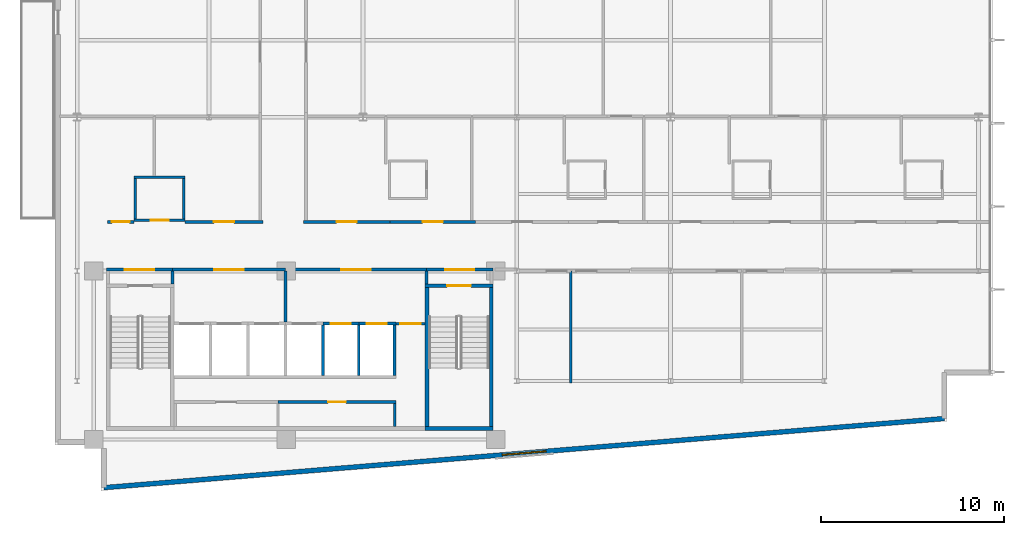
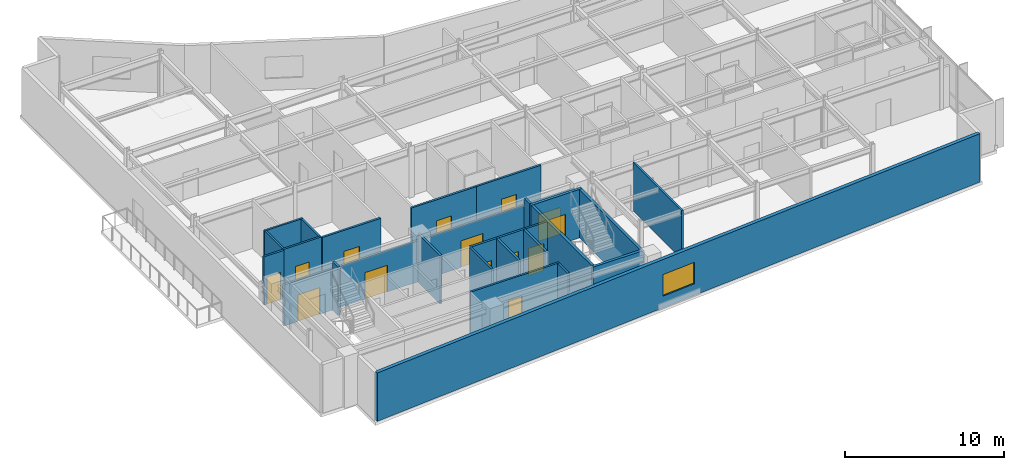
# One storey, part 10 of 16: 29 walls, 14 doors, 1 window, 15 openings.
"""IFC4 building model written with IfcOpenShell, lengths in metres."""

from ifc_helpers import new_model, si_unit, direction, frame, frame_2d, origin, place, context, subcontext, project, spatial, rectangle, extrude, material, layer, layer_set, type_object, element, fill, save


model = new_model("IFC4")

# Units and contexts
model_context = context("Model", 3, precision=1e-05, world=origin(), true_north=direction((0.0, 1.0)))
body_context = subcontext(model_context, "Body", "Model", "MODEL_VIEW")
ifc_project = project(units=[si_unit("LENGTHUNIT", "METRE"), si_unit("AREAUNIT", "SQUARE_METRE"), si_unit("VOLUMEUNIT", "CUBIC_METRE"), si_unit("PLANEANGLEUNIT", "RADIAN"), si_unit("MASSUNIT", "GRAM", prefix="KILO")], contexts=[model_context])

# Site, building, storey
site_placement = place(None, origin())
site = spatial("IfcSite", under=ifc_project, at=site_placement, CompositionType="ELEMENT")
building_placement = place(site_placement, origin())
building = spatial("IfcBuilding", under=site, at=building_placement, Name="Varnakote Quay Hospital", CompositionType="ELEMENT")
storey_placement = place(building_placement, frame((0.0, 0.0, 188.14990234375)))
storey = spatial("IfcBuildingStorey", under=building, at=storey_placement, Name="L46", CompositionType="ELEMENT", Elevation=188.14990234375)

# Wall, opening, door
ifc_material_1 = material(Name="Fire-rated acoustic gypsum stud wall", Category="gypsum")
ifc_layer_1 = layer(ifc_material_1, 0.159912109375)
ifc_layer_set_1 = layer_set([ifc_layer_1], Name="Fire-rated acoustic gypsum stud wall")
wall_type_1 = type_object("IfcWallType", Name="WL-COMP-160", PredefinedType="PARTITIONING", material=ifc_layer_set_1)
wall_1_placement = place(storey_placement, frame((2.800048828125, 12.080078125, 0.0), z_axis=(0.0, 0.0, 1.0), x_axis=(1.0, 0.0, 0.0)))
wall_1 = element("IfcWall", 1, at=wall_1_placement, inside=storey, type_object=wall_type_1, Name="L46 West Stair Vestibule Smoke Wall", PredefinedType="PARTITIONING", context=body_context, shape_type="SweptSolid", body=[
    extrude(rectangle(XDim=3.599853515625, YDim=0.159912109375, at=frame_2d((1.7998046875, 0.0))), origin(), (0.0, 0.0, 1.0), 3.152099609375),
])
opening_1_placement = place(wall_1_placement, frame((1.0, 0.0, 0.0)))
opening_1 = element("IfcOpeningElement", 2, at=opening_1_placement, cuts=wall_1, Name="Opening D-ST1L-L46", PredefinedType="OPENING", context=body_context, shape_type="SweptSolid", body=[
    extrude(rectangle(XDim=1.60009765625, YDim=2.050048828125, at=frame_2d((0.800048828125, 1.02490234375))), frame((0.0, 0.08984375, 0.0), z_axis=(0.0, -1.0, 0.0), x_axis=(1.0, 0.0, 0.0)), (0.0, 0.0, 1.0), 0.179931640625),
])
ifc_material_2 = material(Name="Fire-rated double smoke lobby door")
door_type_1 = type_object("IfcDoorType", Name="DR-LOBBY-FD60S-1600x2150", OperationType="NOTDEFINED", PredefinedType="DOOR", material=ifc_material_2)
door_1_placement = place(opening_1_placement, origin())
door_1 = element("IfcDoor", 3, at=door_1_placement, inside=storey, type_object=door_type_1, Name="L46 West Stair Vestibule Smoke Door", OperationType="DOUBLE_DOOR_SINGLE_SWING", OverallHeight=2.050048828125, OverallWidth=1.60009765625, PredefinedType="DOOR", context=body_context, shape_type="SweptSolid", body=[
    extrude(rectangle(XDim=1.60009765625, YDim=2.050048828125, at=frame_2d((0.800048828125, 1.02490234375))), frame((0.0, 0.02490234375, 0.0), z_axis=(0.0, -1.0, 0.0), x_axis=(1.0, 0.0, 0.0)), (0.0, 0.0, 1.0), 0.050048828125),
])
fill(opening_1, door_1)

# Wall
wall_2_placement = place(storey_placement, frame((6.39990234375, 11.300048828125, 0.0), z_axis=(0.0, 0.0, 1.0), x_axis=(0.0, 1.0, 0.0)))
element("IfcWall", 4, at=wall_2_placement, inside=storey, type_object=wall_type_1, Name="L46 Firefighting Lobby West Wall", PredefinedType="PARTITIONING", context=body_context, shape_type="SweptSolid", body=[
    extrude(rectangle(XDim=0.699951171875, YDim=0.159912109375, at=frame_2d((0.35009765625, 0.0))), origin(), (0.0, 0.0, 1.0), 3.710205078125),
])

# Wall, opening, door
wall_3_placement = place(storey_placement, frame((6.39990234375, 12.080078125, 0.0), z_axis=(0.0, 0.0, 1.0), x_axis=(1.0, 0.0, 0.0)))
wall_3 = element("IfcWall", 5, at=wall_3_placement, inside=storey, type_object=wall_type_1, Name="L46 Firefighting Lift Lobby Compartment Wall", PredefinedType="PARTITIONING", context=body_context, shape_type="SweptSolid", body=[
    extrude(rectangle(XDim=6.18017578125, YDim=0.159912109375, at=frame_2d((3.090087890625, 0.0))), origin(), (0.0, 0.0, 1.0), 3.152099609375),
])
opening_2_placement = place(wall_3_placement, frame((2.2900390625, 0.0, 0.0)))
opening_2 = element("IfcOpeningElement", 6, at=opening_2_placement, cuts=wall_3, Name="Opening D-FFL-L46", PredefinedType="OPENING", context=body_context, shape_type="SweptSolid", body=[
    extrude(rectangle(XDim=1.60009765625, YDim=2.050048828125, at=frame_2d((0.800048828125, 1.02490234375))), frame((0.0, 0.08984375, 0.0), z_axis=(0.0, -1.0, 0.0), x_axis=(1.0, 0.0, 0.0)), (0.0, 0.0, 1.0), 0.179931640625),
])
door_2_placement = place(opening_2_placement, origin())
door_2 = element("IfcDoor", 7, at=door_2_placement, inside=storey, type_object=door_type_1, Name="L46 Firefighting Smoke Vestibule Door", OperationType="DOUBLE_DOOR_SINGLE_SWING", OverallHeight=2.050048828125, OverallWidth=1.60009765625, PredefinedType="DOOR", context=body_context, shape_type="SweptSolid", body=[
    extrude(rectangle(XDim=1.60009765625, YDim=2.050048828125, at=frame_2d((0.800048828125, 1.02490234375))), frame((0.0, 0.02490234375, 0.0), z_axis=(0.0, -1.0, 0.0), x_axis=(1.0, 0.0, 0.0)), (0.0, 0.0, 1.0), 0.050048828125),
])
fill(opening_2, door_2)

# Wall
wall_4_placement = place(storey_placement, frame((12.580078125, 9.2099609375, 0.0), z_axis=(0.0, 0.0, 1.0), x_axis=(0.0, 1.0, 0.0)))
element("IfcWall", 8, at=wall_4_placement, inside=storey, type_object=wall_type_1, Name="L46 Firefighting to Service Lobby Wall", PredefinedType="PARTITIONING", context=body_context, shape_type="SweptSolid", body=[
    extrude(rectangle(XDim=2.7900390625, YDim=0.159912109375, at=frame_2d((1.39501953125, 0.0))), origin(), (0.0, 0.0, 1.0), 3.710205078125),
])

# Wall, opening, door
wall_5_placement = place(storey_placement, frame((12.580078125, 12.080078125, 0.0), z_axis=(0.0, 0.0, 1.0), x_axis=(1.0, 0.0, 0.0)))
wall_5 = element("IfcWall", 9, at=wall_5_placement, inside=storey, type_object=wall_type_1, Name="L46 Clinical Bed Lift Lobby Wall", PredefinedType="PARTITIONING", context=body_context, shape_type="SweptSolid", body=[
    extrude(rectangle(XDim=7.699951171875, YDim=0.159912109375, at=frame_2d((3.85009765625, 0.0))), origin(), (0.0, 0.0, 1.0), 3.152099609375),
])
opening_3_placement = place(wall_5_placement, frame((3.050048828125, 0.0, 0.0)))
opening_3 = element("IfcOpeningElement", 10, at=opening_3_placement, cuts=wall_5, Name="Opening D-SVL-L46", PredefinedType="OPENING", context=body_context, shape_type="SweptSolid", body=[
    extrude(rectangle(XDim=1.60009765625, YDim=2.050048828125, at=frame_2d((0.800048828125, 1.02490234375))), frame((0.0, 0.08984375, 0.0), z_axis=(0.0, -1.0, 0.0), x_axis=(1.0, 0.0, 0.0)), (0.0, 0.0, 1.0), 0.179931640625),
])
door_3_placement = place(opening_3_placement, origin())
door_3 = element("IfcDoor", 11, at=door_3_placement, inside=storey, type_object=door_type_1, Name="L46 Clinical Core Smoke Vestibule Door", OperationType="DOUBLE_DOOR_SINGLE_SWING", OverallHeight=2.050048828125, OverallWidth=1.60009765625, PredefinedType="DOOR", context=body_context, shape_type="SweptSolid", body=[
    extrude(rectangle(XDim=1.60009765625, YDim=2.050048828125, at=frame_2d((0.800048828125, 1.02490234375))), frame((0.0, 0.02490234375, 0.0), z_axis=(0.0, -1.0, 0.0), x_axis=(1.0, 0.0, 0.0)), (0.0, 0.0, 1.0), 0.050048828125),
])
fill(opening_3, door_3)

# Wall
wall_6_placement = place(storey_placement, frame((20.280029296875, 11.300048828125, 0.0), z_axis=(0.0, 0.0, 1.0), x_axis=(0.0, 1.0, 0.0)))
element("IfcWall", 12, at=wall_6_placement, inside=storey, type_object=wall_type_1, Name="L46 East Stair Vestibule Divider Wall", PredefinedType="PARTITIONING", context=body_context, shape_type="SweptSolid", body=[
    extrude(rectangle(XDim=0.699951171875, YDim=0.159912109375, at=frame_2d((0.35009765625, 0.0))), origin(), (0.0, 0.0, 1.0), 3.710205078125),
])

# Wall, opening, door
wall_7_placement = place(storey_placement, frame((20.280029296875, 12.080078125, 0.0), z_axis=(0.0, 0.0, 1.0), x_axis=(1.0, 0.0, 0.0)))
wall_7 = element("IfcWall", 13, at=wall_7_placement, inside=storey, type_object=wall_type_1, Name="L46 East Stair Vestibule Smoke Wall", PredefinedType="PARTITIONING", context=body_context, shape_type="SweptSolid", body=[
    extrude(rectangle(XDim=3.619873046875, YDim=0.159912109375, at=frame_2d((1.81005859375, 0.0))), origin(), (0.0, 0.0, 1.0), 3.152099609375),
])
opening_4_placement = place(wall_7_placement, frame((1.010009765625, 0.0, 0.0)))
opening_4 = element("IfcOpeningElement", 14, at=opening_4_placement, cuts=wall_7, Name="Opening D-ST2L-L46", PredefinedType="OPENING", context=body_context, shape_type="SweptSolid", body=[
    extrude(rectangle(XDim=1.60009765625, YDim=2.050048828125, at=frame_2d((0.800048828125, 1.02490234375))), frame((0.0, 0.08984375, 0.0), z_axis=(0.0, -1.0, 0.0), x_axis=(1.0, 0.0, 0.0)), (0.0, 0.0, 1.0), 0.179931640625),
])
door_4_placement = place(opening_4_placement, origin())
door_4 = element("IfcDoor", 15, at=door_4_placement, inside=storey, type_object=door_type_1, Name="L46 East Stair Vestibule Smoke Door", OperationType="DOUBLE_DOOR_SINGLE_SWING", OverallHeight=2.050048828125, OverallWidth=1.60009765625, PredefinedType="DOOR", context=body_context, shape_type="SweptSolid", body=[
    extrude(rectangle(XDim=1.60009765625, YDim=2.050048828125, at=frame_2d((0.800048828125, 1.02490234375))), frame((0.0, 0.02490234375, 0.0), z_axis=(0.0, -1.0, 0.0), x_axis=(1.0, 0.0, 0.0)), (0.0, 0.0, 1.0), 0.050048828125),
])
fill(opening_4, door_4)

# Wall, opening, window
ifc_material_3 = material(Name="Precast concrete N50 (f'c 50 MPa)", Category="concrete")
ifc_layer_2 = layer(ifc_material_3, 0.260009765625)
ifc_layer_set_2 = layer_set([ifc_layer_2], Name="Precast concrete N50 (f'c 50 MPa)")
wall_type_2 = type_object("IfcWallType", Name="WL-EXT-BRICK-260", PredefinedType="STANDARD", material=ifc_layer_set_2)
wall_8_placement = place(storey_placement, frame((2.659912109375, 0.173583984375, 0.0), z_axis=(0.0, 0.0, 1.0), x_axis=(0.996634028439, 0.081979347142, 0.0)))
wall_8 = element("IfcWall", 16, at=wall_8_placement, inside=storey, type_object=wall_type_2, Name="L46 Brick-Faced Precast Exterior Wall", PredefinedType="STANDARD", context=body_context, shape_type="SweptSolid", body=[
    extrude(rectangle(XDim=46.03515625, YDim=0.260009765625, at=frame_2d((23.017578125, 0.0))), origin(), (0.0, 0.0, 1.0), 3.710205078125),
])
opening_5_placement = place(wall_8_placement, frame((21.8173828125, 0.0, 0.89990234375)))
opening_5 = element("IfcOpeningElement", 17, at=opening_5_placement, cuts=wall_8, Name="Opening WN-0190", PredefinedType="OPENING", context=body_context, shape_type="SweptSolid", body=[
    extrude(rectangle(XDim=2.39990234375, YDim=1.64990234375, at=frame_2d((1.199951171875, 0.824951171875))), frame((0.0, 0.139892578125, 0.0), z_axis=(0.0, -1.0, 0.0), x_axis=(1.0, 0.0, 0.0)), (0.0, 0.0, 1.0), 0.280029296875),
])
ifc_material_4 = material(Name="Double-glazed low-E solar glass", Category="glass")
window_type = type_object("IfcWindowType", Name="WIN-CLIN-2400x1650", PartitioningType="SINGLE_PANEL", PredefinedType="WINDOW", material=ifc_material_4)
window_placement = place(opening_5_placement, origin())
window = element("IfcWindow", 18, at=window_placement, inside=storey, type_object=window_type, Name="L46 Solar-Control Clinical Window", OverallHeight=1.64990234375, OverallWidth=2.39990234375, PartitioningType="SINGLE_PANEL", PredefinedType="WINDOW", context=body_context, shape_type="SweptSolid", body=[
    extrude(rectangle(XDim=2.39990234375, YDim=1.64990234375, at=frame_2d((1.199951171875, 0.824951171875))), frame((0.0, 0.030029296875, 0.0), z_axis=(0.0, -1.0, 0.0), x_axis=(1.0, 0.0, 0.0)), (0.0, 0.0, 1.0), 0.06005859375),
])
fill(opening_5, window)

# Walls
ifc_material_5 = material(Name="Concrete N50 (f'c 50 MPa)", Category="concrete")
ifc_layer_3 = layer(ifc_material_5, 0.14990234375)
ifc_layer_set_3 = layer_set([ifc_layer_3], Name="Concrete N50 (f'c 50 MPa)")
wall_type_3 = type_object("IfcWallType", Name="WL-SHAFT-N50-150", PredefinedType="SHEAR", material=ifc_layer_set_3)
for number, where, z_axis, x_axis, name in (
    (19, (14.625, 6.300048828125, 0.0), (0.0, 0.0, 1.0), (0.0, 1.0, 0.0), "L46 LF-SV2 Hoistway Divider Wall"),
    (20, (16.574951171875, 6.300048828125, 0.0), (0.0, 0.0, 1.0), (0.0, 1.0, 0.0), "L46 LF-PH1 Hoistway Divider Wall"),
):
    element("IfcWall", number, at=place(storey_placement, frame(where, z_axis=z_axis, x_axis=x_axis)), inside=storey, type_object=wall_type_3, Name=name, PredefinedType="SHEAR", context=body_context, shape_type="SweptSolid", body=[
        extrude(rectangle(XDim=2.75, YDim=0.14990234375, at=frame_2d((1.375, 0.0))), origin(), (0.0, 0.0, 1.0), 3.710205078125),
    ])
ifc_material_6 = material(Name="Concrete N50 (f'c 50 MPa)", Category="concrete")
ifc_layer_4 = layer(ifc_material_6, 0.159912109375)
ifc_layer_set_4 = layer_set([ifc_layer_4], Name="Concrete N50 (f'c 50 MPa)")
wall_type_4 = type_object("IfcWallType", Name="WL-SHAFT-N50-160", PredefinedType="SHEAR", material=ifc_layer_set_4)
wall_9_placement = place(storey_placement, frame((18.530029296875, 6.300048828125, 0.0), z_axis=(0.0, 0.0, 1.0), x_axis=(0.0, 1.0, 0.0)))
element("IfcWall", 21, at=wall_9_placement, inside=storey, type_object=wall_type_4, Name="L46 REAR Lift Bank East Shear Wall", PredefinedType="SHEAR", context=body_context, shape_type="SweptSolid", body=[
    extrude(rectangle(XDim=2.75, YDim=0.159912109375, at=frame_2d((1.375, 0.0))), origin(), (0.0, 0.0, 1.0), 3.710205078125),
])

# Wall, opening, door
wall_10_placement = place(storey_placement, frame((14.625, 9.1298828125, 0.0), z_axis=(0.0, 0.0, 1.0), x_axis=(1.0, 0.0, 0.0)))
wall_10 = element("IfcWall", 22, at=wall_10_placement, inside=storey, type_object=wall_type_4, Name="L46 LF-PH1 Hoistway Front Wall", PredefinedType="SHEAR", context=body_context, shape_type="SweptSolid", body=[
    extrude(rectangle(XDim=1.949951171875, YDim=0.159912109375, at=frame_2d((0.97509765625, 0.0))), origin(), (0.0, 0.0, 1.0), 3.710205078125),
])
opening_6_placement = place(wall_10_placement, frame((0.425048828125, 0.0, 0.0)))
opening_6 = element("IfcOpeningElement", 23, at=opening_6_placement, cuts=wall_10, Name="Opening LD-PH1-L46", PredefinedType="OPENING", context=body_context, shape_type="SweptSolid", body=[
    extrude(rectangle(XDim=1.10009765625, YDim=2.14990234375, at=frame_2d((0.550048828125, 1.074951171875))), frame((0.0, 0.08984375, 0.0), z_axis=(0.0, -1.0, 0.0), x_axis=(1.0, 0.0, 0.0)), (0.0, 0.0, 1.0), 0.179931640625),
])
ifc_material_7 = material(Name="Brushed bronze lift landing sliding door")
door_type_2 = type_object("IfcDoorType", Name="DR-LIFT-LD-1100x2150", OperationType="NOTDEFINED", PredefinedType="DOOR", material=ifc_material_7)
door_5_placement = place(opening_6_placement, origin())
door_5 = element("IfcDoor", 24, at=door_5_placement, inside=storey, type_object=door_type_2, Name="L46 LF-PH1 Lift Landing Sliding Door", OperationType="SLIDING_TO_LEFT", OverallHeight=2.14990234375, OverallWidth=1.10009765625, PredefinedType="DOOR", context=body_context, shape_type="SweptSolid", body=[
    extrude(rectangle(XDim=1.10009765625, YDim=2.14990234375, at=frame_2d((0.550048828125, 1.074951171875))), frame((0.0, 0.02490234375, 0.0), z_axis=(0.0, -1.0, 0.0), x_axis=(1.0, 0.0, 0.0)), (0.0, 0.0, 1.0), 0.050048828125),
])
fill(opening_6, door_5)

wall_11_placement = place(storey_placement, frame((16.574951171875, 9.1298828125, 0.0), z_axis=(0.0, 0.0, 1.0), x_axis=(1.0, 0.0, 0.0)))
wall_11 = element("IfcWall", 25, at=wall_11_placement, inside=storey, type_object=wall_type_4, Name="L46 LF-PH2 Hoistway Front Wall", PredefinedType="SHEAR", context=body_context, shape_type="SweptSolid", body=[
    extrude(rectangle(XDim=2.03515625, YDim=0.159912109375, at=frame_2d((1.017578125, 0.0))), origin(), (0.0, 0.0, 1.0), 3.710205078125),
])
opening_7_placement = place(wall_11_placement, frame((0.425048828125, 0.0, 0.0)))
opening_7 = element("IfcOpeningElement", 26, at=opening_7_placement, cuts=wall_11, Name="Opening LD-PH2-L46", PredefinedType="OPENING", context=body_context, shape_type="SweptSolid", body=[
    extrude(rectangle(XDim=1.10009765625, YDim=2.14990234375, at=frame_2d((0.550048828125, 1.074951171875))), frame((0.0, 0.08984375, 0.0), z_axis=(0.0, -1.0, 0.0), x_axis=(1.0, 0.0, 0.0)), (0.0, 0.0, 1.0), 0.179931640625),
])
door_6_placement = place(opening_7_placement, origin())
door_6 = element("IfcDoor", 27, at=door_6_placement, inside=storey, type_object=door_type_2, Name="L46 LF-PH2 Lift Landing Sliding Door", OperationType="SLIDING_TO_LEFT", OverallHeight=2.14990234375, OverallWidth=1.10009765625, PredefinedType="DOOR", context=body_context, shape_type="SweptSolid", body=[
    extrude(rectangle(XDim=1.10009765625, YDim=2.14990234375, at=frame_2d((0.550048828125, 1.074951171875))), frame((0.0, 0.02490234375, 0.0), z_axis=(0.0, -1.0, 0.0), x_axis=(1.0, 0.0, 0.0)), (0.0, 0.0, 1.0), 0.050048828125),
])
fill(opening_7, door_6)

# Walls
ifc_material_8 = material(Name="Concrete N50 (f'c 50 MPa)", Category="concrete")
ifc_layer_5 = layer(ifc_material_8, 0.199951171875)
ifc_layer_set_5 = layer_set([ifc_layer_5], Name="Concrete N50 (f'c 50 MPa)")
wall_type_5 = type_object("IfcWallType", Name="WL-SHAFT-N50-200", PredefinedType="SHEAR", material=ifc_layer_set_5)
wall_12_placement = place(storey_placement, frame((20.199951171875, 3.39990234375, 0.0), z_axis=(0.0, 0.0, 1.0), x_axis=(1.0, 0.0, 0.0)))
element("IfcWall", 28, at=wall_12_placement, inside=storey, type_object=wall_type_5, Name="L46 Stair ST2 South Shaft Wall", PredefinedType="SHEAR", context=body_context, shape_type="SweptSolid", body=[
    extrude(rectangle(XDim=3.699951171875, YDim=0.199951171875, at=frame_2d((1.85009765625, 0.0))), origin(), (0.0, 0.0, 1.0), 3.710205078125),
])
for number, where, z_axis, x_axis, name in (
    (29, (20.300048828125, 3.5, 0.0), (0.0, 0.0, 1.0), (0.0, 1.0, 0.0), "L46 Stair ST2 West Shaft Wall"),
    (30, (23.800048828125, 3.5, 0.0), (0.0, 0.0, 1.0), (0.0, 1.0, 0.0), "L46 Stair ST2 East Shaft Wall"),
):
    element("IfcWall", number, at=place(storey_placement, frame(where, z_axis=z_axis, x_axis=x_axis)), inside=storey, type_object=wall_type_5, Name=name, PredefinedType="SHEAR", context=body_context, shape_type="SweptSolid", body=[
        extrude(rectangle(XDim=7.60009765625, YDim=0.199951171875, at=frame_2d((3.800048828125, 0.0))), origin(), (0.0, 0.0, 1.0), 3.710205078125),
    ])

# Wall, opening, door
wall_13_placement = place(storey_placement, frame((20.199951171875, 11.199951171875, 0.0), z_axis=(0.0, 0.0, 1.0), x_axis=(1.0, 0.0, 0.0)))
wall_13 = element("IfcWall", 31, at=wall_13_placement, inside=storey, type_object=wall_type_5, Name="L46 Stair ST2 Exit Wall", PredefinedType="SHEAR", context=body_context, shape_type="SweptSolid", body=[
    extrude(rectangle(XDim=3.699951171875, YDim=0.199951171875, at=frame_2d((1.85009765625, 0.0))), origin(), (0.0, 0.0, 1.0), 3.710205078125),
])
opening_8_placement = place(wall_13_placement, frame((1.199951171875, 0.0, 0.0)))
opening_8 = element("IfcOpeningElement", 32, at=opening_8_placement, cuts=wall_13, Name="Opening D-ST2-L46", PredefinedType="OPENING", context=body_context, shape_type="SweptSolid", body=[
    extrude(rectangle(XDim=1.300048828125, YDim=2.14990234375, at=frame_2d((0.64990234375, 1.074951171875))), frame((0.0, 0.10986328125, 0.0), z_axis=(0.0, -1.0, 0.0), x_axis=(1.0, 0.0, 0.0)), (0.0, 0.0, 1.0), 0.219970703125),
])
ifc_material_9 = material(Name="Fire-rated ceramic-glazed timber exit door", Category="wood")
door_type_3 = type_object("IfcDoorType", Name="DR-STAIR-FD60S-1300x2150", OperationType="NOTDEFINED", PredefinedType="DOOR", material=ifc_material_9)
door_7_placement = place(opening_8_placement, origin())
door_7 = element("IfcDoor", 33, at=door_7_placement, inside=storey, type_object=door_type_3, Name="L46 Stair ST2 Fire Exit Door", OperationType="SINGLE_SWING_RIGHT", OverallHeight=2.14990234375, OverallWidth=1.300048828125, PredefinedType="DOOR", context=body_context, shape_type="SweptSolid", body=[
    extrude(rectangle(XDim=1.300048828125, YDim=2.14990234375, at=frame_2d((0.64990234375, 1.074951171875))), frame((0.0, 0.02490234375, 0.0), z_axis=(0.0, -1.0, 0.0), x_axis=(1.0, 0.0, 0.0)), (0.0, 0.0, 1.0), 0.050048828125),
])
fill(opening_8, door_7)

# Walls
ifc_material_10 = material(Name="Smoke-proof clinical partition", Category="gypsum")
ifc_layer_6 = layer(ifc_material_10, 0.1201171875)
ifc_layer_set_6 = layer_set([ifc_layer_6], Name="Smoke-proof clinical partition")
wall_type_6 = type_object("IfcWallType", Name="WL-SMOKE-120", PredefinedType="PARTITIONING", material=ifc_layer_set_6)
wall_14_placement = place(storey_placement, frame((18.5400390625, 3.52001953125, 0.0), z_axis=(0.0, 0.0, 1.0), x_axis=(0.0, 1.0, 0.0)))
element("IfcWall", 34, at=wall_14_placement, inside=storey, type_object=wall_type_6, Name="L46 Core South Service East Wall", PredefinedType="PARTITIONING", context=body_context, shape_type="SweptSolid", body=[
    extrude(rectangle(XDim=1.260009765625, YDim=0.1201171875, at=frame_2d((0.6298828125, 0.0))), origin(), (0.0, 0.0, 1.0), 3.710205078125),
])
ifc_material_11 = material(Name="Smoke-proof clinical partition", Category="gypsum")
ifc_layer_7 = layer(ifc_material_11, 0.135009765625)
ifc_layer_set_7 = layer_set([ifc_layer_7], Name="Smoke-proof clinical partition")
wall_type_7 = type_object("IfcWallType", Name="WL-SMOKE-135", PredefinedType="PARTITIONING", material=ifc_layer_set_7)
wall_15_placement = place(storey_placement, frame((28.159912109375, 5.89990234375, 0.0), z_axis=(0.0, 0.0, 1.0), x_axis=(0.0, 1.0, 0.0)))
element("IfcWall", 35, at=wall_15_placement, inside=storey, type_object=wall_type_7, Name="L46 Clinical Interior Partition", PredefinedType="PARTITIONING", context=body_context, shape_type="SweptSolid", body=[
    extrude(rectangle(XDim=6.10009765625, YDim=0.135009765625, at=frame_2d((3.050048828125, 0.0))), origin(), (0.0, 0.0, 1.0), 3.710205078125),
])

# Wall, opening, door
ifc_material_12 = material(Name="Fire-rated clinical gypsum partition", Category="gypsum")
ifc_layer_8 = layer(ifc_material_12, 0.139892578125)
ifc_layer_set_8 = layer_set([ifc_layer_8], Name="Fire-rated clinical gypsum partition")
wall_type_8 = type_object("IfcWallType", Name="WL-WARD-140", PredefinedType="PARTITIONING", material=ifc_layer_set_8)
wall_16_placement = place(storey_placement, frame((12.169921875, 4.85009765625, 0.0), z_axis=(0.0, 0.0, 1.0), x_axis=(1.0, 0.0, 0.0)))
wall_16 = element("IfcWall", 36, at=wall_16_placement, inside=storey, type_object=wall_type_8, Name="L46 Core Staff Sanitary WC North Wall", PredefinedType="PARTITIONING", context=body_context, shape_type="SweptSolid", body=[
    extrude(rectangle(XDim=6.43017578125, YDim=0.139892578125, at=frame_2d((3.215087890625, 0.0))), origin(), (0.0, 0.0, 1.0), 3.710205078125),
])
opening_9_placement = place(wall_16_placement, frame((2.72509765625, 0.0, 0.0)))
opening_9 = element("IfcOpeningElement", 37, at=opening_9_placement, cuts=wall_16, Name="Opening D-L46-CR02", PredefinedType="OPENING", context=body_context, shape_type="SweptSolid", body=[
    extrude(rectangle(XDim=0.97998046875, YDim=2.10009765625, at=frame_2d((0.489990234375, 1.050048828125))), frame((0.0, 0.079833984375, 0.0), z_axis=(0.0, -1.0, 0.0), x_axis=(1.0, 0.0, 0.0)), (0.0, 0.0, 1.0), 0.159912109375),
])
ifc_material_13 = material(Name="Accessible sanitary compartment door")
door_type_4 = type_object("IfcDoorType", Name="DR-WC-980x2100", OperationType="NOTDEFINED", PredefinedType="DOOR", material=ifc_material_13)
door_8_placement = place(opening_9_placement, origin())
door_8 = element("IfcDoor", 38, at=door_8_placement, inside=storey, type_object=door_type_4, Name="L46 Core Staff Sanitary WC Door", OperationType="SINGLE_SWING_RIGHT", OverallHeight=2.10009765625, OverallWidth=0.97998046875, PredefinedType="DOOR", context=body_context, shape_type="SweptSolid", body=[
    extrude(rectangle(XDim=0.97998046875, YDim=2.10009765625, at=frame_2d((0.489990234375, 1.050048828125))), frame((0.0, 0.02490234375, 0.0), z_axis=(0.0, -1.0, 0.0), x_axis=(1.0, 0.0, 0.0)), (0.0, 0.0, 1.0), 0.050048828125),
])
fill(opening_9, door_8)

wall_17_placement = place(storey_placement, frame((18.610107421875, 9.1298828125, 0.0), z_axis=(0.0, 0.0, 1.0), x_axis=(1.0, 0.0, 0.0)))
wall_17 = element("IfcWall", 39, at=wall_17_placement, inside=storey, type_object=wall_type_8, Name="L46 Core Service Corridor North Door Wall", PredefinedType="PARTITIONING", context=body_context, shape_type="SweptSolid", body=[
    extrude(rectangle(XDim=1.58984375, YDim=0.139892578125, at=frame_2d((0.794921875, 0.0))), origin(), (0.0, 0.0, 1.0), 3.710205078125),
])
opening_10_placement = place(wall_17_placement, frame((0.239990234375, 0.0, 0.0)))
opening_10 = element("IfcOpeningElement", 40, at=opening_10_placement, cuts=wall_17, Name="Opening D-CSRV-L46", PredefinedType="OPENING", context=body_context, shape_type="SweptSolid", body=[
    extrude(rectangle(XDim=1.10009765625, YDim=2.10009765625, at=frame_2d((0.550048828125, 1.050048828125))), frame((0.0, 0.079833984375, 0.0), z_axis=(0.0, -1.0, 0.0), x_axis=(1.0, 0.0, 0.0)), (0.0, 0.0, 1.0), 0.159912109375),
])
ifc_material_14 = material(Name="Acoustic timber clinical consult door", Category="wood")
door_type_5 = type_object("IfcDoorType", Name="DR-CLIN-FD30S-1100x2100", OperationType="NOTDEFINED", PredefinedType="DOOR", material=ifc_material_14)
door_9_placement = place(opening_10_placement, origin())
door_9 = element("IfcDoor", 41, at=door_9_placement, inside=storey, type_object=door_type_5, Name="L46 Core Service Corridor Door", OperationType="SINGLE_SWING_LEFT", OverallHeight=2.10009765625, OverallWidth=1.10009765625, PredefinedType="DOOR", context=body_context, shape_type="SweptSolid", body=[
    extrude(rectangle(XDim=1.10009765625, YDim=2.10009765625, at=frame_2d((0.550048828125, 1.050048828125))), frame((0.0, 0.02490234375, 0.0), z_axis=(0.0, -1.0, 0.0), x_axis=(1.0, 0.0, 0.0)), (0.0, 0.0, 1.0), 0.050048828125),
])
fill(opening_10, door_9)

wall_18_placement = place(storey_placement, frame((4.31005859375, 14.77001953125, 0.0), z_axis=(0.0, 0.0, 1.0), x_axis=(1.0, 0.0, 0.0)))
wall_18 = element("IfcWall", 42, at=wall_18_placement, inside=storey, type_object=wall_type_8, Name="L46 Floor Unisex Accessible WC S Wall", PredefinedType="PARTITIONING", context=body_context, shape_type="SweptSolid", body=[
    extrude(rectangle(XDim=2.780029296875, YDim=0.139892578125, at=frame_2d((1.39013671875, 0.0))), origin(), (0.0, 0.0, 1.0), 3.710205078125),
])
opening_11_placement = place(wall_18_placement, frame((0.89990234375, 0.0, 0.0)))
opening_11 = element("IfcOpeningElement", 43, at=opening_11_placement, cuts=wall_18, Name="Opening D-L46-EW01", PredefinedType="OPENING", context=body_context, shape_type="SweptSolid", body=[
    extrude(rectangle(XDim=0.97998046875, YDim=2.10009765625, at=frame_2d((0.489990234375, 1.050048828125))), frame((0.0, 0.079833984375, 0.0), z_axis=(0.0, -1.0, 0.0), x_axis=(1.0, 0.0, 0.0)), (0.0, 0.0, 1.0), 0.159912109375),
])
door_10_placement = place(opening_11_placement, origin())
door_10 = element("IfcDoor", 44, at=door_10_placement, inside=storey, type_object=door_type_4, Name="L46 Floor Unisex Accessible WC Door", OperationType="SINGLE_SWING_RIGHT", OverallHeight=2.10009765625, OverallWidth=0.97998046875, PredefinedType="DOOR", context=body_context, shape_type="SweptSolid", body=[
    extrude(rectangle(XDim=0.97998046875, YDim=2.10009765625, at=frame_2d((0.489990234375, 1.050048828125))), frame((0.0, 0.02490234375, 0.0), z_axis=(0.0, -1.0, 0.0), x_axis=(1.0, 0.0, 0.0)), (0.0, 0.0, 1.0), 0.050048828125),
])
fill(opening_11, door_10)

# Walls
wall_19_placement = place(storey_placement, frame((4.31005859375, 17.110107421875, 0.0), z_axis=(0.0, 0.0, 1.0), x_axis=(1.0, 0.0, 0.0)))
element("IfcWall", 45, at=wall_19_placement, inside=storey, type_object=wall_type_8, Name="L46 Floor Unisex Accessible WC N Wall", PredefinedType="PARTITIONING", context=body_context, shape_type="SweptSolid", body=[
    extrude(rectangle(XDim=2.780029296875, YDim=0.139892578125, at=frame_2d((1.39013671875, 0.0))), origin(), (0.0, 0.0, 1.0), 3.710205078125),
])
for number, where, z_axis, x_axis, name in (
    (46, (4.3798828125, 14.840087890625, 0.0), (0.0, 0.0, 1.0), (0.0, 1.0, 0.0), "L46 Floor Unisex Accessible WC W Wall"),
    (47, (7.02001953125, 14.840087890625, 0.0), (0.0, 0.0, 1.0), (0.0, 1.0, 0.0), "L46 Floor Unisex Accessible WC E Wall"),
):
    element("IfcWall", number, at=place(storey_placement, frame(where, z_axis=z_axis, x_axis=x_axis)), inside=storey, type_object=wall_type_8, Name=name, PredefinedType="PARTITIONING", context=body_context, shape_type="SweptSolid", body=[
        extrude(rectangle(XDim=2.199951171875, YDim=0.139892578125, at=frame_2d((1.10009765625, 0.0))), origin(), (0.0, 0.0, 1.0), 3.710205078125),
    ])

# Wall, opening, door
ifc_material_15 = material(Name="Fire-rated clinical gypsum partition", Category="gypsum")
ifc_layer_9 = layer(ifc_material_15, 0.14990234375)
ifc_layer_set_9 = layer_set([ifc_layer_9], Name="Fire-rated clinical gypsum partition")
wall_type_9 = type_object("IfcWallType", Name="WL-WARD-150", PredefinedType="PARTITIONING", material=ifc_layer_set_9)
wall_20_placement = place(storey_placement, frame((4.30810546875, 14.679931640625, 0.0), z_axis=(0.0, 0.0, 1.0), x_axis=(-1.0, 0.0, 0.0)))
wall_20 = element("IfcWall", 48, at=wall_20_placement, inside=storey, type_object=wall_type_9, Name="L46 Clinical Interior Partition", PredefinedType="PARTITIONING", context=body_context, shape_type="SweptSolid", body=[
    extrude(rectangle(XDim=1.4580078125, YDim=0.14990234375, at=frame_2d((0.72900390625, 0.0))), origin(), (0.0, 0.0, 1.0), 3.710205078125),
])
opening_12_placement = place(wall_20_placement, frame((0.239013671875, 0.0, 0.0)))
opening_12 = element("IfcOpeningElement", 49, at=opening_12_placement, cuts=wall_20, Name="Opening D-L46-MD01", PredefinedType="OPENING", context=body_context, shape_type="SweptSolid", body=[
    extrude(rectangle(XDim=0.97998046875, YDim=2.10009765625, at=frame_2d((0.489990234375, 1.050048828125))), frame((0.0, 0.0849609375, 0.0), z_axis=(0.0, -1.0, 0.0), x_axis=(1.0, 0.0, 0.0)), (0.0, 0.0, 1.0), 0.169921875),
])
door_11_placement = place(opening_12_placement, origin())
door_11 = element("IfcDoor", 50, at=door_11_placement, inside=storey, type_object=door_type_4, Name="L46 Neurology Clinical Teaching Room Door", OperationType="SINGLE_SWING_RIGHT", OverallHeight=2.10009765625, OverallWidth=0.97998046875, PredefinedType="DOOR", context=body_context, shape_type="SweptSolid", body=[
    extrude(rectangle(XDim=0.97998046875, YDim=2.10009765625, at=frame_2d((0.489990234375, 1.050048828125))), frame((0.0, 0.02490234375, 0.0), z_axis=(0.0, -1.0, 0.0), x_axis=(1.0, 0.0, 0.0)), (0.0, 0.0, 1.0), 0.050048828125),
])
fill(opening_12, door_11)

wall_21_placement = place(storey_placement, frame((11.345947265625, 14.679931640625, 0.0), z_axis=(0.0, 0.0, 1.0), x_axis=(-1.0, 0.0, 0.0)))
wall_21 = element("IfcWall", 51, at=wall_21_placement, inside=storey, type_object=wall_type_9, Name="L46 Clinical Interior Partition", PredefinedType="PARTITIONING", context=body_context, shape_type="SweptSolid", body=[
    extrude(rectangle(XDim=4.25390625, YDim=0.14990234375, at=frame_2d((2.126953125, 0.0))), origin(), (0.0, 0.0, 1.0), 3.710205078125),
])
opening_13_placement = place(wall_21_placement, frame((1.576904296875, 0.0, 0.0)))
opening_13 = element("IfcOpeningElement", 52, at=opening_13_placement, cuts=wall_21, Name="Opening D-L46-MD02", PredefinedType="OPENING", context=body_context, shape_type="SweptSolid", body=[
    extrude(rectangle(XDim=1.10009765625, YDim=2.10009765625, at=frame_2d((0.550048828125, 1.050048828125))), frame((0.0, 0.0849609375, 0.0), z_axis=(0.0, -1.0, 0.0), x_axis=(1.0, 0.0, 0.0)), (0.0, 0.0, 1.0), 0.169921875),
])
door_12_placement = place(opening_13_placement, origin())
door_12 = element("IfcDoor", 53, at=door_12_placement, inside=storey, type_object=door_type_5, Name="L46 Stroke Rehabilitation Treatment Suite Door", OperationType="SINGLE_SWING_LEFT", OverallHeight=2.10009765625, OverallWidth=1.10009765625, PredefinedType="DOOR", context=body_context, shape_type="SweptSolid", body=[
    extrude(rectangle(XDim=1.10009765625, YDim=2.10009765625, at=frame_2d((0.550048828125, 1.050048828125))), frame((0.0, 0.02490234375, 0.0), z_axis=(0.0, -1.0, 0.0), x_axis=(1.0, 0.0, 0.0)), (0.0, 0.0, 1.0), 0.050048828125),
])
fill(opening_13, door_12)

wall_22_placement = place(storey_placement, frame((18.26611328125, 14.679931640625, 0.0), z_axis=(0.0, 0.0, 1.0), x_axis=(-1.0, 0.0, 0.0)))
wall_22 = element("IfcWall", 54, at=wall_22_placement, inside=storey, type_object=wall_type_9, Name="L46 Clinical Interior Partition", PredefinedType="PARTITIONING", context=body_context, shape_type="SweptSolid", body=[
    extrude(rectangle(XDim=4.712158203125, YDim=0.14990234375, at=frame_2d((2.35595703125, 0.0))), origin(), (0.0, 0.0, 1.0), 3.710205078125),
])
opening_14_placement = place(wall_22_placement, frame((1.805908203125, 0.0, 0.0)))
opening_14 = element("IfcOpeningElement", 55, at=opening_14_placement, cuts=wall_22, Name="Opening D-L46-MD03", PredefinedType="OPENING", context=body_context, shape_type="SweptSolid", body=[
    extrude(rectangle(XDim=1.10009765625, YDim=2.10009765625, at=frame_2d((0.550048828125, 1.050048828125))), frame((0.0, 0.0849609375, 0.0), z_axis=(0.0, -1.0, 0.0), x_axis=(1.0, 0.0, 0.0)), (0.0, 0.0, 1.0), 0.169921875),
])
door_13_placement = place(opening_14_placement, origin())
door_13 = element("IfcDoor", 56, at=door_13_placement, inside=storey, type_object=door_type_5, Name="L46 Neurophysiology Office Door", OperationType="SINGLE_SWING_RIGHT", OverallHeight=2.10009765625, OverallWidth=1.10009765625, PredefinedType="DOOR", context=body_context, shape_type="SweptSolid", body=[
    extrude(rectangle(XDim=1.10009765625, YDim=2.10009765625, at=frame_2d((0.550048828125, 1.050048828125))), frame((0.0, 0.02490234375, 0.0), z_axis=(0.0, -1.0, 0.0), x_axis=(1.0, 0.0, 0.0)), (0.0, 0.0, 1.0), 0.050048828125),
])
fill(opening_14, door_13)

wall_23_placement = place(storey_placement, frame((22.9560546875, 14.679931640625, 0.0), z_axis=(0.0, 0.0, 1.0), x_axis=(-1.0, 0.0, 0.0)))
wall_23 = element("IfcWall", 57, at=wall_23_placement, inside=storey, type_object=wall_type_9, Name="L46 Clinical Interior Partition", PredefinedType="PARTITIONING", context=body_context, shape_type="SweptSolid", body=[
    extrude(rectangle(XDim=4.68798828125, YDim=0.14990234375, at=frame_2d((2.343994140625, 0.0))), origin(), (0.0, 0.0, 1.0), 3.710205078125),
])
opening_15_placement = place(wall_23_placement, frame((1.7939453125, 0.0, 0.0)))
opening_15 = element("IfcOpeningElement", 58, at=opening_15_placement, cuts=wall_23, Name="Opening D-L46-BR01", PredefinedType="OPENING", context=body_context, shape_type="SweptSolid", body=[
    extrude(rectangle(XDim=1.10009765625, YDim=2.10009765625, at=frame_2d((0.550048828125, 1.050048828125))), frame((0.0, 0.0849609375, 0.0), z_axis=(0.0, -1.0, 0.0), x_axis=(1.0, 0.0, 0.0)), (0.0, 0.0, 1.0), 0.169921875),
])
door_14_placement = place(opening_15_placement, origin())
door_14 = element("IfcDoor", 59, at=door_14_placement, inside=storey, type_object=door_type_5, Name="L46 Inpatient Clinical Treatment Room 01 Door", OperationType="SINGLE_SWING_LEFT", OverallHeight=2.10009765625, OverallWidth=1.10009765625, PredefinedType="DOOR", context=body_context, shape_type="SweptSolid", body=[
    extrude(rectangle(XDim=1.10009765625, YDim=2.10009765625, at=frame_2d((0.550048828125, 1.050048828125))), frame((0.0, 0.02490234375, 0.0), z_axis=(0.0, -1.0, 0.0), x_axis=(1.0, 0.0, 0.0)), (0.0, 0.0, 1.0), 0.050048828125),
])
fill(opening_15, door_14)

save(model, "model.ifc")
